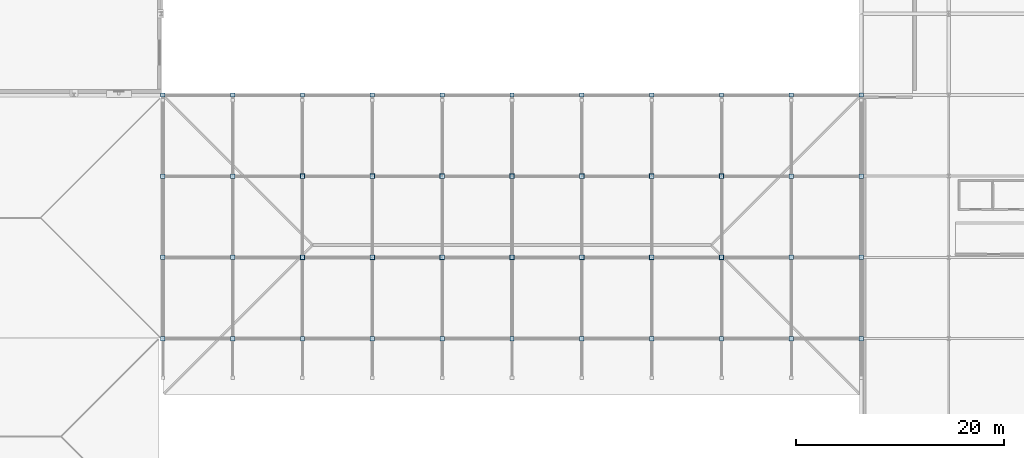
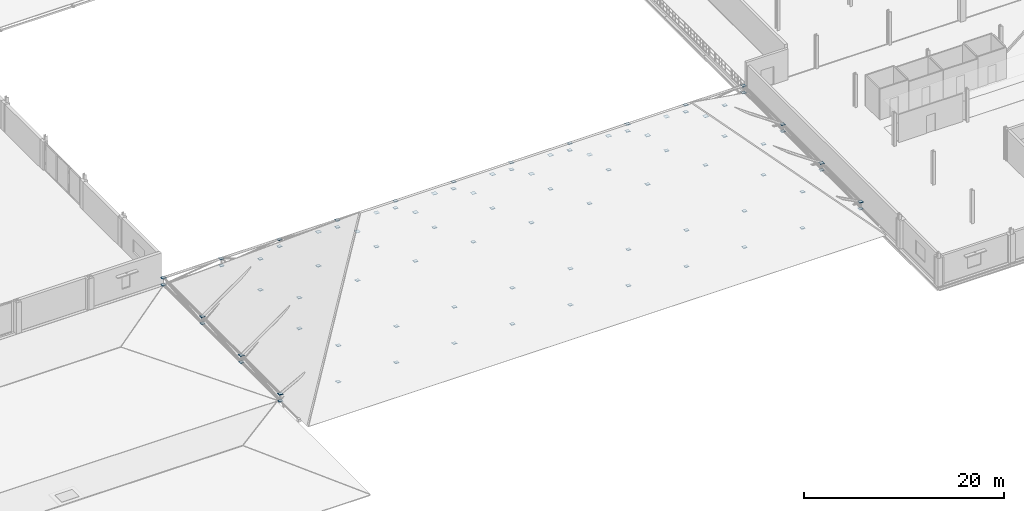
# One storey, part 54 of 77: 88 plates.
"""IFC4 building model written with IfcOpenShell, lengths in metres."""

from ifc_helpers import new_model, si_unit, direction, frame, origin, origin_2d, place, context, subcontext, project, spatial, rectangle, extrude, material, layer, layer_set, type_object, element, save


model = new_model("IFC4")

# Units and contexts
model_context = context("Model", 3, precision=1e-05, world=origin(), true_north=direction((0.0, 1.0)))
body_context = subcontext(model_context, "Body", "Model", "MODEL_VIEW")
ifc_project = project(units=[si_unit("LENGTHUNIT", "METRE"), si_unit("AREAUNIT", "SQUARE_METRE"), si_unit("VOLUMEUNIT", "CUBIC_METRE"), si_unit("PLANEANGLEUNIT", "RADIAN"), si_unit("MASSUNIT", "GRAM", prefix="KILO")], contexts=[model_context])

# Site, building, storey
site_placement = place(None, origin())
site = spatial("IfcSite", under=ifc_project, at=site_placement, CompositionType="ELEMENT")
building_placement = place(site_placement, origin())
building = spatial("IfcBuilding", under=site, at=building_placement, Name="Nabrawat Pavilion Hospital", CompositionType="ELEMENT")
storey_placement = place(building_placement, frame((0.0, 0.0, 14.85009765625)))
storey = spatial("IfcBuildingStorey", under=building, at=storey_placement, Name="L03", CompositionType="ELEMENT", Elevation=14.85009765625)

# Plates
ifc_material = material(Name="Steel S355", Category="steel")
ifc_layer_1 = layer(ifc_material, 0.02001953125, Name="Steel S355")
ifc_layer_set_1 = layer_set([ifc_layer_1], Name="Steel S355")
plate_type_1 = type_object("IfcPlateType", Name="Space Frame Interior Gusset Node Plate 420x420x20", PredefinedType="USERDEFINED", material=ifc_layer_set_1)
for number, where, z_axis, x_axis, name in (
    (1, (58.919921875, 15.60009765625, 0.789794921875), (0.0, 0.0, 1.0), (1.0, 0.0, 0.0), "Space Frame Node Plate Top 00-00"),
    (2, (58.919921875, 15.60009765625, -0.06005859375), (0.0, 0.0, 1.0), (1.0, 0.0, 0.0), "Space Frame Node Plate Bottom 00-00"),
    (3, (58.919921875, 23.39990234375, 0.789794921875), (0.0, 0.0, 1.0), (1.0, 0.0, 0.0), "Space Frame Node Plate Top 00-01"),
    (4, (58.919921875, 23.39990234375, -0.06005859375), (0.0, 0.0, 1.0), (1.0, 0.0, 0.0), "Space Frame Node Plate Bottom 00-01"),
    (5, (58.919921875, 31.199951171875, 0.789794921875), (0.0, 0.0, 1.0), (1.0, 0.0, 0.0), "Space Frame Node Plate Top 00-02"),
    (6, (58.919921875, 31.199951171875, -0.06005859375), (0.0, 0.0, 1.0), (1.0, 0.0, 0.0), "Space Frame Node Plate Bottom 00-02"),
    (7, (58.919921875, 39.0, 0.789794921875), (0.0, 0.0, 1.0), (1.0, 0.0, 0.0), "Space Frame Node Plate Top 00-03"),
    (8, (58.919921875, 39.0, -0.06005859375), (0.0, 0.0, 1.0), (1.0, 0.0, 0.0), "Space Frame Node Plate Bottom 00-03"),
    (9, (65.6279296875, 15.60009765625, 4.363037109375), (0.0, 0.0, 1.0), (1.0, 0.0, 0.0), "Space Frame Node Plate Top 01-00"),
    (10, (65.6279296875, 15.60009765625, -0.06005859375), (0.0, 0.0, 1.0), (1.0, 0.0, 0.0), "Space Frame Node Plate Bottom 01-00"),
    (11, (65.6279296875, 23.39990234375, 5.4833984375), (0.0, 0.0, 1.0), (1.0, 0.0, 0.0), "Space Frame Node Plate Top 01-01"),
    (12, (65.6279296875, 23.39990234375, 1.7060546875), (0.0, 0.0, 1.0), (1.0, 0.0, 0.0), "Space Frame Node Plate Bottom 01-01"),
    (13, (65.6279296875, 31.199951171875, 5.4833984375), (0.0, 0.0, 1.0), (1.0, 0.0, 0.0), "Space Frame Node Plate Top 01-02"),
    (14, (65.6279296875, 31.199951171875, 1.7060546875), (0.0, 0.0, 1.0), (1.0, 0.0, 0.0), "Space Frame Node Plate Bottom 01-02"),
    (15, (65.6279296875, 39.0, 0.789794921875), (0.0, 0.0, 1.0), (1.0, 0.0, 0.0), "Space Frame Node Plate Top 01-03"),
    (16, (65.6279296875, 39.0, -0.06005859375), (0.0, 0.0, 1.0), (1.0, 0.0, 0.0), "Space Frame Node Plate Bottom 01-03"),
    (17, (72.3359375, 15.60009765625, 4.363037109375), (0.0, 0.0, 1.0), (1.0, 0.0, 0.0), "Space Frame Node Plate Top 02-00"),
    (18, (72.3359375, 15.60009765625, -0.06005859375), (0.0, 0.0, 1.0), (1.0, 0.0, 0.0), "Space Frame Node Plate Bottom 02-00"),
    (19, (72.3359375, 23.39990234375, 5.25048828125), (0.0, 0.0, 1.0), (1.0, 0.0, 0.0), "Space Frame Node Plate Bottom 02-01"),
    (20, (72.3359375, 31.199951171875, 2.28857421875), (0.0, 0.0, 1.0), (1.0, 0.0, 0.0), "Space Frame Node Plate Bottom 02-02"),
    (21, (72.3359375, 39.0, 0.789794921875), (0.0, 0.0, 1.0), (1.0, 0.0, 0.0), "Space Frame Node Plate Top 02-03"),
    (22, (72.3359375, 39.0, -0.06005859375), (0.0, 0.0, 1.0), (1.0, 0.0, 0.0), "Space Frame Node Plate Bottom 02-03"),
    (23, (79.0439453125, 15.60009765625, 4.363037109375), (0.0, 0.0, 1.0), (1.0, 0.0, 0.0), "Space Frame Node Plate Top 03-00"),
    (24, (79.0439453125, 15.60009765625, -0.06005859375), (0.0, 0.0, 1.0), (1.0, 0.0, 0.0), "Space Frame Node Plate Bottom 03-00"),
    (25, (79.0439453125, 23.39990234375, 5.25048828125), (0.0, 0.0, 1.0), (1.0, 0.0, 0.0), "Space Frame Node Plate Bottom 03-01"),
    (26, (79.0439453125, 31.199951171875, 2.28857421875), (0.0, 0.0, 1.0), (1.0, 0.0, 0.0), "Space Frame Node Plate Bottom 03-02"),
    (27, (79.0439453125, 39.0, 0.789794921875), (0.0, 0.0, 1.0), (1.0, 0.0, 0.0), "Space Frame Node Plate Top 03-03"),
    (28, (79.0439453125, 39.0, -0.06005859375), (0.0, 0.0, 1.0), (1.0, 0.0, 0.0), "Space Frame Node Plate Bottom 03-03"),
    (29, (85.751953125, 15.60009765625, 4.363037109375), (0.0, 0.0, 1.0), (1.0, 0.0, 0.0), "Space Frame Node Plate Top 04-00"),
    (30, (85.751953125, 15.60009765625, -0.06005859375), (0.0, 0.0, 1.0), (1.0, 0.0, 0.0), "Space Frame Node Plate Bottom 04-00"),
    (31, (85.751953125, 23.39990234375, 5.25048828125), (0.0, 0.0, 1.0), (1.0, 0.0, 0.0), "Space Frame Node Plate Bottom 04-01"),
    (32, (85.751953125, 31.199951171875, 2.28857421875), (0.0, 0.0, 1.0), (1.0, 0.0, 0.0), "Space Frame Node Plate Bottom 04-02"),
    (33, (85.751953125, 39.0, 0.789794921875), (0.0, 0.0, 1.0), (1.0, 0.0, 0.0), "Space Frame Node Plate Top 04-03"),
    (34, (85.751953125, 39.0, -0.06005859375), (0.0, 0.0, 1.0), (1.0, 0.0, 0.0), "Space Frame Node Plate Bottom 04-03"),
    (35, (92.4599609375, 15.60009765625, 4.363037109375), (0.0, 0.0, 1.0), (1.0, 0.0, 0.0), "Space Frame Node Plate Top 05-00"),
    (36, (92.4599609375, 15.60009765625, -0.06005859375), (0.0, 0.0, 1.0), (1.0, 0.0, 0.0), "Space Frame Node Plate Bottom 05-00"),
    (37, (92.4599609375, 23.39990234375, 5.25048828125), (0.0, 0.0, 1.0), (1.0, 0.0, 0.0), "Space Frame Node Plate Bottom 05-01"),
    (38, (92.4599609375, 31.199951171875, 2.28857421875), (0.0, 0.0, 1.0), (1.0, 0.0, 0.0), "Space Frame Node Plate Bottom 05-02"),
    (39, (92.4599609375, 39.0, 0.789794921875), (0.0, 0.0, 1.0), (1.0, 0.0, 0.0), "Space Frame Node Plate Top 05-03"),
    (40, (92.4599609375, 39.0, -0.06005859375), (0.0, 0.0, 1.0), (1.0, 0.0, 0.0), "Space Frame Node Plate Bottom 05-03"),
    (41, (99.16796875, 15.60009765625, 4.363037109375), (0.0, 0.0, 1.0), (1.0, 0.0, 0.0), "Space Frame Node Plate Top 06-00"),
    (42, (99.16796875, 15.60009765625, -0.06005859375), (0.0, 0.0, 1.0), (1.0, 0.0, 0.0), "Space Frame Node Plate Bottom 06-00"),
    (43, (99.16796875, 23.39990234375, 5.25048828125), (0.0, 0.0, 1.0), (1.0, 0.0, 0.0), "Space Frame Node Plate Bottom 06-01"),
    (44, (99.16796875, 31.199951171875, 2.28857421875), (0.0, 0.0, 1.0), (1.0, 0.0, 0.0), "Space Frame Node Plate Bottom 06-02"),
    (45, (99.16796875, 39.0, 0.789794921875), (0.0, 0.0, 1.0), (1.0, 0.0, 0.0), "Space Frame Node Plate Top 06-03"),
    (46, (99.16796875, 39.0, -0.06005859375), (0.0, 0.0, 1.0), (1.0, 0.0, 0.0), "Space Frame Node Plate Bottom 06-03"),
    (47, (105.8759765625, 15.60009765625, 4.363037109375), (0.0, 0.0, 1.0), (1.0, 0.0, 0.0), "Space Frame Node Plate Top 07-00"),
    (48, (105.8759765625, 15.60009765625, -0.06005859375), (0.0, 0.0, 1.0), (1.0, 0.0, 0.0), "Space Frame Node Plate Bottom 07-00"),
    (49, (105.8759765625, 23.39990234375, 5.25048828125), (0.0, 0.0, 1.0), (1.0, 0.0, 0.0), "Space Frame Node Plate Bottom 07-01"),
    (50, (105.8759765625, 31.199951171875, 2.28857421875), (0.0, 0.0, 1.0), (1.0, 0.0, 0.0), "Space Frame Node Plate Bottom 07-02"),
    (51, (105.8759765625, 39.0, 0.789794921875), (0.0, 0.0, 1.0), (1.0, 0.0, 0.0), "Space Frame Node Plate Top 07-03"),
    (52, (105.8759765625, 39.0, -0.06005859375), (0.0, 0.0, 1.0), (1.0, 0.0, 0.0), "Space Frame Node Plate Bottom 07-03"),
    (53, (112.583984375, 15.60009765625, 4.363037109375), (0.0, 0.0, 1.0), (1.0, 0.0, 0.0), "Space Frame Node Plate Top 08-00"),
    (54, (112.583984375, 15.60009765625, -0.06005859375), (0.0, 0.0, 1.0), (1.0, 0.0, 0.0), "Space Frame Node Plate Bottom 08-00"),
    (55, (112.583984375, 23.39990234375, 5.25048828125), (0.0, 0.0, 1.0), (1.0, 0.0, 0.0), "Space Frame Node Plate Bottom 08-01"),
    (56, (112.583984375, 31.199951171875, 2.28857421875), (0.0, 0.0, 1.0), (1.0, 0.0, 0.0), "Space Frame Node Plate Bottom 08-02"),
    (57, (112.583984375, 39.0, 0.789794921875), (0.0, 0.0, 1.0), (1.0, 0.0, 0.0), "Space Frame Node Plate Top 08-03"),
    (58, (112.583984375, 39.0, -0.06005859375), (0.0, 0.0, 1.0), (1.0, 0.0, 0.0), "Space Frame Node Plate Bottom 08-03"),
    (59, (119.2919921875, 15.60009765625, 4.363037109375), (0.0, 0.0, 1.0), (1.0, 0.0, 0.0), "Space Frame Node Plate Top 09-00"),
    (60, (119.2919921875, 15.60009765625, -0.06005859375), (0.0, 0.0, 1.0), (1.0, 0.0, 0.0), "Space Frame Node Plate Bottom 09-00"),
    (61, (119.2919921875, 23.39990234375, 5.4658203125), (0.0, 0.0, 1.0), (1.0, 0.0, 0.0), "Space Frame Node Plate Top 09-01"),
    (62, (119.2919921875, 23.39990234375, 1.695068359375), (0.0, 0.0, 1.0), (1.0, 0.0, 0.0), "Space Frame Node Plate Bottom 09-01"),
    (63, (119.2919921875, 31.199951171875, 5.4658203125), (0.0, 0.0, 1.0), (1.0, 0.0, 0.0), "Space Frame Node Plate Top 09-02"),
    (64, (119.2919921875, 31.199951171875, 1.695068359375), (0.0, 0.0, 1.0), (1.0, 0.0, 0.0), "Space Frame Node Plate Bottom 09-02"),
    (65, (119.2919921875, 39.0, 0.789794921875), (0.0, 0.0, 1.0), (1.0, 0.0, 0.0), "Space Frame Node Plate Top 09-03"),
    (66, (119.2919921875, 39.0, -0.06005859375), (0.0, 0.0, 1.0), (1.0, 0.0, 0.0), "Space Frame Node Plate Bottom 09-03"),
    (67, (126.0, 15.60009765625, 0.789794921875), (0.0, 0.0, 1.0), (1.0, 0.0, 0.0), "Space Frame Node Plate Top 10-00"),
    (68, (126.0, 15.60009765625, -0.06005859375), (0.0, 0.0, 1.0), (1.0, 0.0, 0.0), "Space Frame Node Plate Bottom 10-00"),
    (69, (126.0, 23.39990234375, 0.789794921875), (0.0, 0.0, 1.0), (1.0, 0.0, 0.0), "Space Frame Node Plate Top 10-01"),
    (70, (126.0, 23.39990234375, -0.06005859375), (0.0, 0.0, 1.0), (1.0, 0.0, 0.0), "Space Frame Node Plate Bottom 10-01"),
    (71, (126.0, 31.199951171875, 0.789794921875), (0.0, 0.0, 1.0), (1.0, 0.0, 0.0), "Space Frame Node Plate Top 10-02"),
    (72, (126.0, 31.199951171875, -0.06005859375), (0.0, 0.0, 1.0), (1.0, 0.0, 0.0), "Space Frame Node Plate Bottom 10-02"),
    (73, (126.0, 39.0, 0.789794921875), (0.0, 0.0, 1.0), (1.0, 0.0, 0.0), "Space Frame Node Plate Top 10-03"),
    (74, (126.0, 39.0, -0.06005859375), (0.0, 0.0, 1.0), (1.0, 0.0, 0.0), "Space Frame Node Plate Bottom 10-03"),
):
    element("IfcPlate", number, at=place(storey_placement, frame(where, z_axis=z_axis, x_axis=x_axis)), inside=storey, type_object=plate_type_1, Name=name, ObjectType="GUSSET PLATE", PredefinedType="USERDEFINED", context=body_context, shape_type="SweptSolid", body=[
        extrude(rectangle(XDim=0.419921875, YDim=0.419921875, at=origin_2d()), origin(), (0.0, 0.0, 1.0), 0.02001953125),
    ])
ifc_layer_2 = layer(ifc_material, 0.028076171875, Name="Steel S355")
ifc_layer_set_2 = layer_set([ifc_layer_2], Name="Steel S355")
plate_type_2 = type_object("IfcPlateType", Name="Space Frame Ridge Gusset Node Plate 480x480x28", PredefinedType="USERDEFINED", material=ifc_layer_set_2)
for number, where, z_axis, x_axis, name in (
    (75, (72.3359375, 23.39990234375, 11.19580078125), (0.0, 0.0, 1.0), (1.0, 0.0, 0.0), "Space Frame Node Plate Top 02-01"),
    (76, (72.3359375, 31.199951171875, 6.4189453125), (0.0, 0.0, 1.0), (1.0, 0.0, 0.0), "Space Frame Node Plate Top 02-02"),
    (77, (79.0439453125, 23.39990234375, 11.19580078125), (0.0, 0.0, 1.0), (1.0, 0.0, 0.0), "Space Frame Node Plate Top 03-01"),
    (78, (79.0439453125, 31.199951171875, 6.4189453125), (0.0, 0.0, 1.0), (1.0, 0.0, 0.0), "Space Frame Node Plate Top 03-02"),
    (79, (85.751953125, 23.39990234375, 11.19580078125), (0.0, 0.0, 1.0), (1.0, 0.0, 0.0), "Space Frame Node Plate Top 04-01"),
    (80, (85.751953125, 31.199951171875, 6.4189453125), (0.0, 0.0, 1.0), (1.0, 0.0, 0.0), "Space Frame Node Plate Top 04-02"),
    (81, (92.4599609375, 23.39990234375, 11.19580078125), (0.0, 0.0, 1.0), (1.0, 0.0, 0.0), "Space Frame Node Plate Top 05-01"),
    (82, (92.4599609375, 31.199951171875, 6.4189453125), (0.0, 0.0, 1.0), (1.0, 0.0, 0.0), "Space Frame Node Plate Top 05-02"),
    (83, (99.16796875, 23.39990234375, 11.19580078125), (0.0, 0.0, 1.0), (1.0, 0.0, 0.0), "Space Frame Node Plate Top 06-01"),
    (84, (99.16796875, 31.199951171875, 6.4189453125), (0.0, 0.0, 1.0), (1.0, 0.0, 0.0), "Space Frame Node Plate Top 06-02"),
    (85, (105.8759765625, 23.39990234375, 11.19580078125), (0.0, 0.0, 1.0), (1.0, 0.0, 0.0), "Space Frame Node Plate Top 07-01"),
    (86, (105.8759765625, 31.199951171875, 6.4189453125), (0.0, 0.0, 1.0), (1.0, 0.0, 0.0), "Space Frame Node Plate Top 07-02"),
    (87, (112.583984375, 23.39990234375, 11.19580078125), (0.0, 0.0, 1.0), (1.0, 0.0, 0.0), "Space Frame Node Plate Top 08-01"),
    (88, (112.583984375, 31.199951171875, 6.4189453125), (0.0, 0.0, 1.0), (1.0, 0.0, 0.0), "Space Frame Node Plate Top 08-02"),
):
    element("IfcPlate", number, at=place(storey_placement, frame(where, z_axis=z_axis, x_axis=x_axis)), inside=storey, type_object=plate_type_2, Name=name, ObjectType="GUSSET PLATE", PredefinedType="USERDEFINED", context=body_context, shape_type="SweptSolid", body=[
        extrude(rectangle(XDim=0.47998046875, YDim=0.47998046875, at=origin_2d()), origin(), (0.0, 0.0, 1.0), 0.028076171875),
    ])

save(model, "model.ifc")
